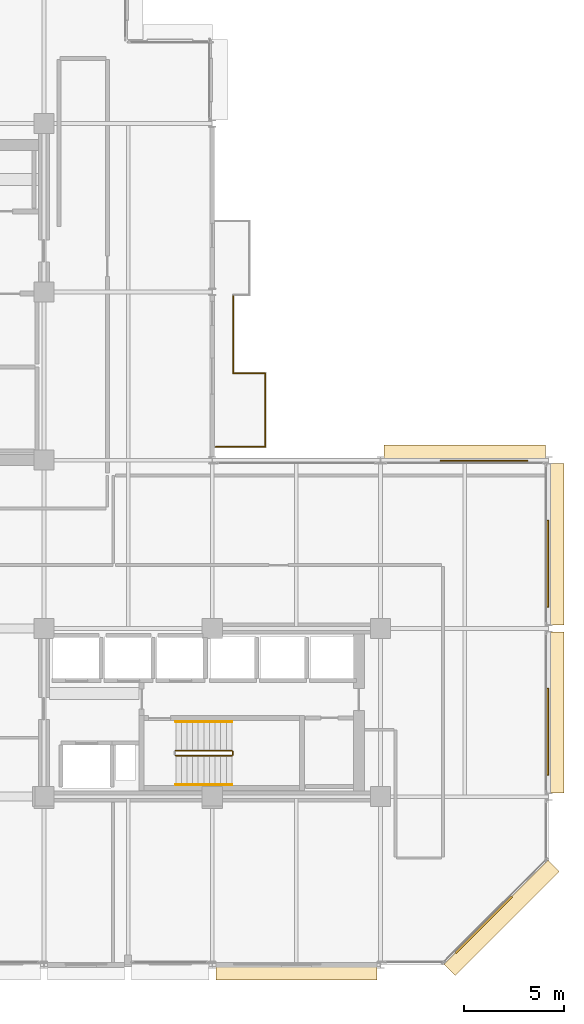
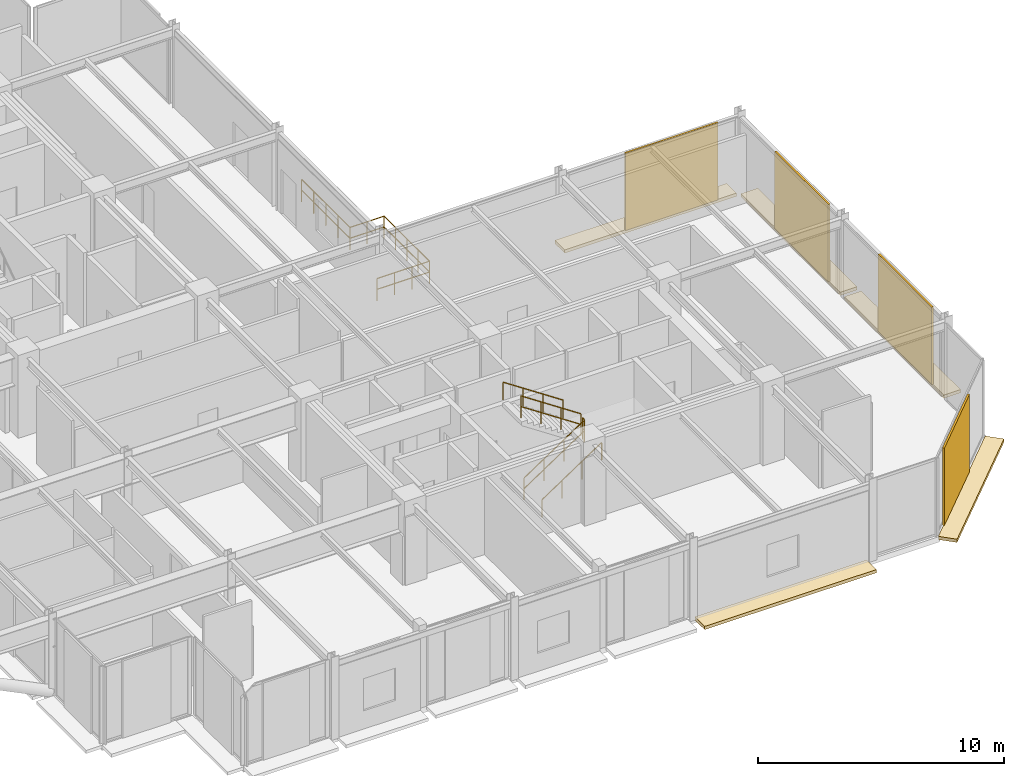
# One storey, part 29 of 30: 9 coverings, 9 railings.
"""IFC4 building model written with IfcOpenShell, lengths in metres."""

from ifc_helpers import new_model, si_unit, direction, frame, origin, origin_2d, place, context, subcontext, project, spatial, polyline, rectangle, circle, outline, extrude, material, layer, layer_set, type_object, element, save


model = new_model("IFC4")

# Units and contexts
model_context = context("Model", 3, precision=1e-05, world=origin(), true_north=direction((0.0, 1.0)))
body_context = subcontext(model_context, "Body", "Model", "MODEL_VIEW")
ifc_project = project(units=[si_unit("LENGTHUNIT", "METRE"), si_unit("AREAUNIT", "SQUARE_METRE"), si_unit("VOLUMEUNIT", "CUBIC_METRE"), si_unit("PLANEANGLEUNIT", "RADIAN"), si_unit("MASSUNIT", "GRAM", prefix="KILO")], contexts=[model_context])

# Site, building, storey
site_placement = place(None, origin())
site = spatial("IfcSite", under=ifc_project, at=site_placement, CompositionType="ELEMENT")
building_placement = place(site_placement, origin())
building = spatial("IfcBuilding", under=site, at=building_placement, Name="Nerrivon Quay Data Exchange", CompositionType="ELEMENT")
storey_placement = place(building_placement, frame((0.0, 0.0, 167.300048828125)))
storey = spatial("IfcBuildingStorey", under=building, at=storey_placement, Name="L39", CompositionType="ELEMENT", Elevation=167.300048828125)

# Coverings
ifc_material_1 = material(Name="Architectural terracotta ceramic", Category="masonry")
ifc_layer_1 = layer(ifc_material_1, 0.159912109375)
ifc_layer_set_1 = layer_set([ifc_layer_1], Name="Architectural terracotta ceramic")
covering_type_1 = type_object("IfcCoveringType", Name="COV-BLD-TERR", PredefinedType="CLADDING", material=ifc_layer_set_1)
covering_1_placement = place(storey_placement, frame((0.0, 0.0, -0.16015625)))
element("IfcCovering", 1, at=covering_1_placement, inside=storey, type_object=covering_type_1, Name="L39 Horizontal Terracotta SOLAR SCREEN Blade", PredefinedType="CLADDING", context=body_context, shape_type="SweptSolid", body=[
    extrude(outline(polyline([(41.9716796875, 5.228271484375), (36.771728515625, 0.0283203125), (37.330322265625, -0.5302734375), (42.5302734375, 4.669677734375), (41.9716796875, 5.228271484375)])), origin(), (0.0, 0.0, 1.0), 0.16015625),
])
covering_2_placement = place(storey_placement, frame((0.0, 0.0, -0.16015625)))
element("IfcCovering", 2, at=covering_2_placement, inside=storey, type_object=covering_type_1, Name="L39 Horizontal Terracotta SOLAR SCREEN Blade", PredefinedType="CLADDING", context=body_context, shape_type="SweptSolid", body=[
    extrude(outline(polyline([(33.425048828125, 0.0400390625), (25.375, 0.0400390625), (25.375, -0.75), (33.425048828125, -0.75), (33.425048828125, 0.0400390625)])), origin(), (0.0, 0.0, 1.0), 0.16015625),
])
covering_3_placement = place(storey_placement, frame((0.0, 0.0, -0.16015625)))
element("IfcCovering", 3, at=covering_3_placement, inside=storey, type_object=covering_type_1, Name="L39 Horizontal Terracotta SOLAR SCREEN Blade", PredefinedType="CLADDING", context=body_context, shape_type="SweptSolid", body=[
    extrude(outline(polyline([(33.77490234375, 25.159912109375), (41.824951171875, 25.159912109375), (41.824951171875, 25.949951171875), (33.77490234375, 25.949951171875), (33.77490234375, 25.159912109375)])), origin(), (0.0, 0.0, 1.0), 0.16015625),
])
covering_4_placement = place(storey_placement, frame((0.0, 0.0, -0.16015625)))
element("IfcCovering", 4, at=covering_4_placement, inside=storey, type_object=covering_type_1, Name="L39 Horizontal Terracotta SOLAR SCREEN Blade", PredefinedType="CLADDING", context=body_context, shape_type="SweptSolid", body=[
    extrude(outline(polyline([(41.9599609375, 25.02490234375), (41.9599609375, 16.97509765625), (42.75, 16.97509765625), (42.75, 25.02490234375), (41.9599609375, 25.02490234375)])), origin(), (0.0, 0.0, 1.0), 0.16015625),
])
covering_5_placement = place(storey_placement, frame((0.0, 0.0, -0.16015625)))
element("IfcCovering", 5, at=covering_5_placement, inside=storey, type_object=covering_type_1, Name="L39 Horizontal Terracotta SOLAR SCREEN Blade", PredefinedType="CLADDING", context=body_context, shape_type="SweptSolid", body=[
    extrude(outline(polyline([(41.9599609375, 16.625), (41.9599609375, 8.574951171875), (42.75, 8.574951171875), (42.75, 16.625), (41.9599609375, 16.625)])), origin(), (0.0, 0.0, 1.0), 0.16015625),
])
ifc_layer_2 = layer(ifc_material_1, 0.090087890625)
ifc_layer_set_2 = layer_set([ifc_layer_2], Name="Architectural terracotta ceramic")
covering_type_2 = type_object("IfcCoveringType", Name="COV-SCR-TERR", PredefinedType="CLADDING", material=ifc_layer_set_2)
covering_6_placement = place(storey_placement, frame((38.744140625, 2.0078125, 0.0), z_axis=(0.0, 0.0, 1.0), x_axis=(-0.707106781187, -0.707106781187, 0.0)))
element("IfcCovering", 6, at=covering_6_placement, inside=storey, type_object=covering_type_2, Name="L39 Perforated Terracotta SOLAR SCREEN Cassette", PredefinedType="CLADDING", context=body_context, shape_type="SweptSolid", body=[
    extrude(rectangle(XDim=3.970947265625, YDim=0.090087890625, at=origin_2d()), origin(), (0.0, 0.0, 1.0), 3.824951171875),
])
for number, where, z_axis, x_axis, name in (
    (7, (38.76611328125, 25.155029296875, 0.0), (0.0, 0.0, 1.0), (1.0, 0.0, 0.0), "L39 Perforated Terracotta SOLAR SCREEN Cassette"),
    (8, (41.955078125, 20.033935546875, 0.0), (0.0, 0.0, 1.0), (0.0, -1.0, 0.0), "L39 Perforated Terracotta SOLAR SCREEN Cassette"),
    (9, (41.955078125, 11.634033203125, 0.0), (0.0, 0.0, 1.0), (0.0, -1.0, 0.0), "L39 Perforated Terracotta SOLAR SCREEN Cassette"),
):
    element("IfcCovering", number, at=place(storey_placement, frame(where, z_axis=z_axis, x_axis=x_axis)), inside=storey, type_object=covering_type_2, Name=name, PredefinedType="CLADDING", context=body_context, shape_type="SweptSolid", body=[
        extrude(rectangle(XDim=4.346923828125, YDim=0.090087890625, at=origin_2d()), origin(), (0.0, 0.0, 1.0), 3.824951171875),
    ])

# Railings
ifc_material_2 = material(Name="Steel Grade C350L0 (350 MPa)", Category="steel")
railing_type_1 = type_object("IfcRailingType", Name="RAIL-GUARD-GR2", PredefinedType="BALUSTRADE", material=ifc_material_2)
railing_1_placement = place(storey_placement, frame((26.239990234375, 29.5400390625, 0.0)))
element("IfcRailing", 10, at=railing_1_placement, inside=storey, type_object=railing_type_1, Name="L39 Verandah Balcony Guard 1.1 1", PredefinedType="BALUSTRADE", context=body_context, shape_type="SweptSolid", body=[
    extrude(circle(Radius=0.02392578125, at=origin_2d()), frame((0.0, 0.0, 1.09619140625), z_axis=(1.0, 0.0, 0.0), x_axis=(0.0, 1.0, 0.0)), (0.0, 0.0, 1.0), 1.60009765625),
    extrude(circle(Radius=0.02392578125, at=origin_2d()), frame((0.0, 0.0, 0.56005859375), z_axis=(1.0, 0.0, 0.0), x_axis=(0.0, 1.0, 0.0)), (0.0, 0.0, 1.0), 1.60009765625),
    extrude(circle(Radius=0.02099609375, at=origin_2d()), origin(), (0.0, 0.0, 1.0), 1.072021484375),
    extrude(circle(Radius=0.02099609375, at=origin_2d()), frame((0.800048828125, 0.0, 0.0)), (0.0, 0.0, 1.0), 1.072021484375),
    extrude(circle(Radius=0.02099609375, at=origin_2d()), frame((1.60009765625, 0.0, 0.0)), (0.0, 0.0, 1.0), 1.072021484375),
])
railing_2_placement = place(storey_placement, frame((27.840087890625, 29.5400390625, 0.0)))
element("IfcRailing", 11, at=railing_2_placement, inside=storey, type_object=railing_type_1, Name="L39 Verandah Balcony Guard 1.2 1", PredefinedType="BALUSTRADE", context=body_context, shape_type="SweptSolid", body=[
    extrude(circle(Radius=0.02392578125, at=origin_2d()), frame((0.0, 0.0, 1.09619140625), z_axis=(0.0, -1.0, 0.0), x_axis=(1.0, 0.0, 0.0)), (0.0, 0.0, 1.0), 3.679931640625),
    extrude(circle(Radius=0.02392578125, at=origin_2d()), frame((0.0, 0.0, 0.56005859375), z_axis=(0.0, -1.0, 0.0), x_axis=(1.0, 0.0, 0.0)), (0.0, 0.0, 1.0), 3.679931640625),
    extrude(circle(Radius=0.02099609375, at=origin_2d()), origin(), (0.0, 0.0, 1.0), 1.072021484375),
    extrude(circle(Radius=0.02099609375, at=origin_2d()), frame((0.0, -0.919921875, 0.0)), (0.0, 0.0, 1.0), 1.072021484375),
    extrude(circle(Radius=0.02099609375, at=origin_2d()), frame((0.0, -1.83984375, 0.0)), (0.0, 0.0, 1.0), 1.072021484375),
    extrude(circle(Radius=0.02099609375, at=origin_2d()), frame((0.0, -2.760009765625, 0.0)), (0.0, 0.0, 1.0), 1.072021484375),
    extrude(circle(Radius=0.02099609375, at=origin_2d()), frame((0.0, -3.679931640625, 0.0)), (0.0, 0.0, 1.0), 1.072021484375),
])
railing_3_placement = place(storey_placement, frame((27.840087890625, 25.860107421875, 0.0)))
element("IfcRailing", 12, at=railing_3_placement, inside=storey, type_object=railing_type_1, Name="L39 Verandah Balcony Guard 1.3 1", PredefinedType="BALUSTRADE", context=body_context, shape_type="SweptSolid", body=[
    extrude(circle(Radius=0.02392578125, at=origin_2d()), frame((0.0, 0.0, 1.09619140625), z_axis=(-1.0, 0.0, 0.0), x_axis=(0.0, -1.0, 0.0)), (0.0, 0.0, 1.0), 2.460205078125),
    extrude(circle(Radius=0.02392578125, at=origin_2d()), frame((0.0, 0.0, 0.56005859375), z_axis=(-1.0, 0.0, 0.0), x_axis=(0.0, -1.0, 0.0)), (0.0, 0.0, 1.0), 2.460205078125),
    extrude(circle(Radius=0.02099609375, at=origin_2d()), origin(), (0.0, 0.0, 1.0), 1.072021484375),
    extrude(circle(Radius=0.02099609375, at=origin_2d()), frame((-0.820068359375, 0.0, 0.0)), (0.0, 0.0, 1.0), 1.072021484375),
    extrude(circle(Radius=0.02099609375, at=origin_2d()), frame((-1.64013671875, 0.0, 0.0)), (0.0, 0.0, 1.0), 1.072021484375),
    extrude(circle(Radius=0.02099609375, at=origin_2d()), frame((-2.460205078125, 0.0, 0.0)), (0.0, 0.0, 1.0), 1.072021484375),
])
railing_4_placement = place(storey_placement, frame((26.239990234375, 33.4599609375, 0.0)))
element("IfcRailing", 13, at=railing_4_placement, inside=storey, type_object=railing_type_1, Name="L39 Verandah Balcony Guard 1.7 1", PredefinedType="BALUSTRADE", context=body_context, shape_type="SweptSolid", body=[
    extrude(circle(Radius=0.02392578125, at=origin_2d()), frame((0.0, 0.0, 1.09619140625), z_axis=(0.0, -1.0, 0.0), x_axis=(1.0, 0.0, 0.0)), (0.0, 0.0, 1.0), 3.919921875),
    extrude(circle(Radius=0.02392578125, at=origin_2d()), frame((0.0, 0.0, 0.56005859375), z_axis=(0.0, -1.0, 0.0), x_axis=(1.0, 0.0, 0.0)), (0.0, 0.0, 1.0), 3.919921875),
    extrude(circle(Radius=0.02099609375, at=origin_2d()), origin(), (0.0, 0.0, 1.0), 1.072021484375),
    extrude(circle(Radius=0.02099609375, at=origin_2d()), frame((0.0, -0.97998046875, 0.0)), (0.0, 0.0, 1.0), 1.072021484375),
    extrude(circle(Radius=0.02099609375, at=origin_2d()), frame((0.0, -1.9599609375, 0.0)), (0.0, 0.0, 1.0), 1.072021484375),
    extrude(circle(Radius=0.02099609375, at=origin_2d()), frame((0.0, -2.93994140625, 0.0)), (0.0, 0.0, 1.0), 1.072021484375),
    extrude(circle(Radius=0.02099609375, at=origin_2d()), frame((0.0, -3.919921875, 0.0)), (0.0, 0.0, 1.0), 1.072021484375),
])
railing_type_2 = type_object("IfcRailingType", Name="RAIL-HAND-HR1", PredefinedType="HANDRAIL", material=ifc_material_2)
railing_5_placement = place(storey_placement, frame((23.3798828125, 9.0, 0.186279296875)))
element("IfcRailing", 14, at=railing_5_placement, inside=storey, type_object=railing_type_2, Name="L39 ST02 stair handrail 1", PredefinedType="HANDRAIL", context=body_context, shape_type="SweptSolid", body=[
    extrude(circle(Radius=0.02392578125, at=origin_2d()), frame((0.0, 0.0, 0.8759765625), z_axis=(0.832452072856, 0.0, 0.554097055034), x_axis=(0.0, 1.0, 0.0)), (0.0, 0.0, 1.0), 3.363525390625),
    extrude(circle(Radius=0.02099609375, at=origin_2d()), origin(), (0.0, 0.0, 1.0), 0.851806640625),
    extrude(circle(Radius=0.02099609375, at=origin_2d()), frame((0.933349609375, 0.0, 0.621337890625)), (0.0, 0.0, 1.0), 0.851806640625),
    extrude(circle(Radius=0.02099609375, at=origin_2d()), frame((1.86669921875, 0.0, 1.242431640625)), (0.0, 0.0, 1.0), 0.851806640625),
    extrude(circle(Radius=0.02099609375, at=origin_2d()), frame((2.800048828125, 0.0, 1.86376953125)), (0.0, 0.0, 1.0), 0.851806640625),
])
railing_6_placement = place(storey_placement, frame((26.179931640625, 12.14990234375, 2.236328125)))
element("IfcRailing", 15, at=railing_6_placement, inside=storey, type_object=railing_type_2, Name="L39 ST02 stair handrail 2", PredefinedType="HANDRAIL", context=body_context, shape_type="SweptSolid", body=[
    extrude(circle(Radius=0.02392578125, at=origin_2d()), frame((0.0, 0.0, 0.8759765625), z_axis=(-0.832485552168, 0.0, 0.554046753832), x_axis=(0.0, -1.0, 0.0)), (0.0, 0.0, 1.0), 3.363525390625),
    extrude(circle(Radius=0.02099609375, at=origin_2d()), origin(), (0.0, 0.0, 1.0), 0.851806640625),
    extrude(circle(Radius=0.02099609375, at=origin_2d()), frame((-0.933349609375, 0.0, 0.62109375)), (0.0, 0.0, 1.0), 0.851806640625),
    extrude(circle(Radius=0.02099609375, at=origin_2d()), frame((-1.86669921875, 0.0, 1.242431640625)), (0.0, 0.0, 1.0), 0.851806640625),
    extrude(circle(Radius=0.02099609375, at=origin_2d()), frame((-2.800048828125, 0.0, 1.863525390625)), (0.0, 0.0, 1.0), 0.851806640625),
])
railing_type_3 = type_object("IfcRailingType", Name="RAIL-STAIR-GR1", PredefinedType="BALUSTRADE", material=ifc_material_2)
railing_7_placement = place(storey_placement, frame((23.3798828125, 10.449951171875, 0.186279296875)))
element("IfcRailing", 16, at=railing_7_placement, inside=storey, type_object=railing_type_3, Name="L39 ST02 stair guard 1", PredefinedType="BALUSTRADE", context=body_context, shape_type="SweptSolid", body=[
    extrude(circle(Radius=0.02392578125, at=origin_2d()), frame((0.0, 0.0, 1.076171875), z_axis=(0.832452072856, 0.0, 0.554097055034), x_axis=(0.0, 1.0, 0.0)), (0.0, 0.0, 1.0), 3.363525390625),
    extrude(circle(Radius=0.02392578125, at=origin_2d()), frame((0.0, 0.0, 0.550048828125), z_axis=(0.832452072856, 0.0, 0.554097055034), x_axis=(0.0, 1.0, 0.0)), (0.0, 0.0, 1.0), 3.363525390625),
    extrude(circle(Radius=0.02099609375, at=origin_2d()), origin(), (0.0, 0.0, 1.0), 1.052001953125),
    extrude(circle(Radius=0.02099609375, at=origin_2d()), frame((0.933349609375, 0.0, 0.621337890625)), (0.0, 0.0, 1.0), 1.052001953125),
    extrude(circle(Radius=0.02099609375, at=origin_2d()), frame((1.86669921875, 0.0, 1.242431640625)), (0.0, 0.0, 1.0), 1.052001953125),
    extrude(circle(Radius=0.02099609375, at=origin_2d()), frame((2.800048828125, 0.0, 1.86376953125)), (0.0, 0.0, 1.0), 1.052001953125),
])
railing_8_placement = place(storey_placement, frame((26.22998046875, 10.5, 2.050048828125)))
element("IfcRailing", 17, at=railing_8_placement, inside=storey, type_object=railing_type_3, Name="L39 ST02 stair guard 2", PredefinedType="BALUSTRADE", context=body_context, shape_type="SweptSolid", body=[
    extrude(circle(Radius=0.02392578125, at=origin_2d()), frame((0.0, 0.0, 1.076171875), z_axis=(0.0, 1.0, 0.0), x_axis=(-1.0, 0.0, 0.0)), (0.0, 0.0, 1.0), 0.14990234375),
    extrude(circle(Radius=0.02392578125, at=origin_2d()), frame((0.0, 0.0, 0.550048828125), z_axis=(0.0, 1.0, 0.0), x_axis=(-1.0, 0.0, 0.0)), (0.0, 0.0, 1.0), 0.14990234375),
    extrude(circle(Radius=0.02099609375, at=origin_2d()), origin(), (0.0, 0.0, 1.0), 1.052001953125),
    extrude(circle(Radius=0.02099609375, at=origin_2d()), frame((0.0, 0.14990234375, 0.0)), (0.0, 0.0, 1.0), 1.052001953125),
])
railing_9_placement = place(storey_placement, frame((26.179931640625, 10.699951171875, 2.236328125)))
element("IfcRailing", 18, at=railing_9_placement, inside=storey, type_object=railing_type_3, Name="L39 ST02 stair guard 3", PredefinedType="BALUSTRADE", context=body_context, shape_type="SweptSolid", body=[
    extrude(circle(Radius=0.02392578125, at=origin_2d()), frame((0.0, 0.0, 1.076171875), z_axis=(-0.832485552168, 0.0, 0.554046753832), x_axis=(0.0, -1.0, 0.0)), (0.0, 0.0, 1.0), 3.363525390625),
    extrude(circle(Radius=0.02392578125, at=origin_2d()), frame((0.0, 0.0, 0.550048828125), z_axis=(-0.832485552168, 0.0, 0.554046753832), x_axis=(0.0, -1.0, 0.0)), (0.0, 0.0, 1.0), 3.363525390625),
    extrude(circle(Radius=0.02099609375, at=origin_2d()), origin(), (0.0, 0.0, 1.0), 1.052001953125),
    extrude(circle(Radius=0.02099609375, at=origin_2d()), frame((-0.933349609375, 0.0, 0.62109375)), (0.0, 0.0, 1.0), 1.052001953125),
    extrude(circle(Radius=0.02099609375, at=origin_2d()), frame((-1.86669921875, 0.0, 1.242431640625)), (0.0, 0.0, 1.0), 1.052001953125),
    extrude(circle(Radius=0.02099609375, at=origin_2d()), frame((-2.800048828125, 0.0, 1.863525390625)), (0.0, 0.0, 1.0), 1.052001953125),
])

save(model, "model.ifc")
